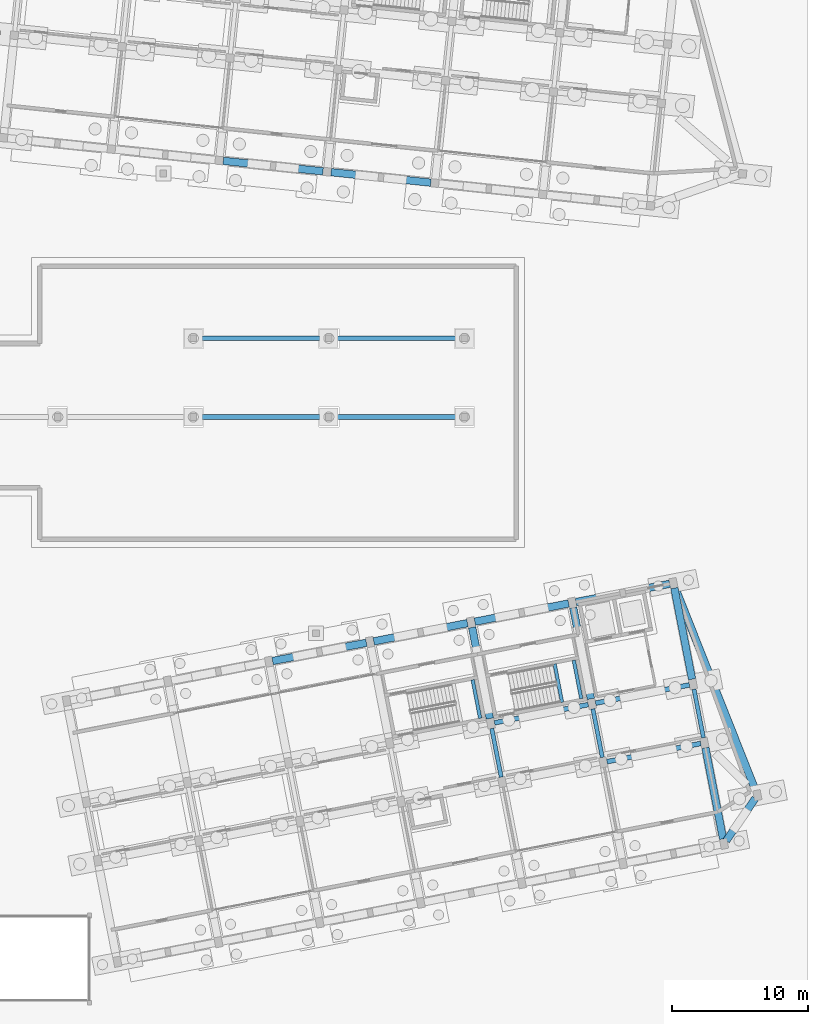
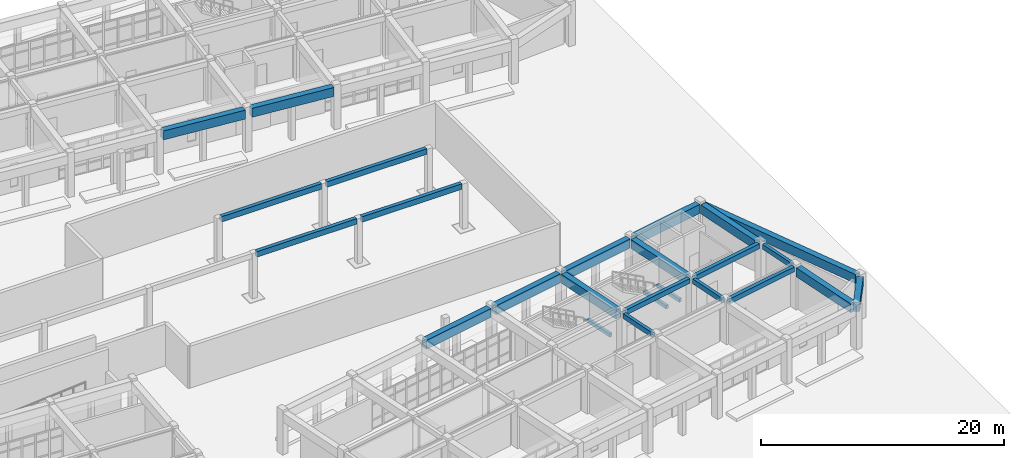
# One storey, part 95 of 154: 25 beams.
"""IFC4 building model written with IfcOpenShell, lengths in metres."""

from ifc_helpers import new_model, si_unit, direction, frame, origin, origin_2d, place, context, subcontext, project, spatial, rectangle, extrude, material, material_profile, profile_set, type_object, element, save


model = new_model("IFC4")

# Units and contexts
model_context = context("Model", 3, precision=1e-05, world=origin(), true_north=direction((0.0, 1.0)))
body_context = subcontext(model_context, "Body", "Model", "MODEL_VIEW")
ifc_project = project(units=[si_unit("LENGTHUNIT", "METRE"), si_unit("AREAUNIT", "SQUARE_METRE"), si_unit("VOLUMEUNIT", "CUBIC_METRE"), si_unit("PLANEANGLEUNIT", "RADIAN"), si_unit("MASSUNIT", "GRAM", prefix="KILO")], contexts=[model_context])

# Site, building, storey
site_placement = place(None, origin())
site = spatial("IfcSite", under=ifc_project, at=site_placement, CompositionType="ELEMENT")
building_placement = place(site_placement, origin())
building = spatial("IfcBuilding", under=site, at=building_placement, Name="Kestramere Prow Commons", CompositionType="ELEMENT")
storey_placement = place(building_placement, origin())
storey = spatial("IfcBuildingStorey", under=building, at=storey_placement, Name="L00", CompositionType="ELEMENT", Elevation=0.0)

# Beams
ifc_material_1 = material(Name="Precast concrete C40/50", Category="concrete")
ifc_material_profile_1 = material_profile(ifc_material_1, rectangle(XDim=0.35009765625, YDim=0.550048828125, at=origin_2d()), Name="PC-BM 350x550")
ifc_profile_set_1 = profile_set([ifc_material_profile_1], Name="Precast concrete C40/50")
beam_type_1 = type_object("IfcBeamType", Name="BM-C1 PC-BM 350x550", PredefinedType="BEAM", material=ifc_profile_set_1)
for number, where, z_axis, x_axis, name in (
    (1, (124.25, 74.199951171875, 3.925048828125), (1.0, 0.0, 0.0), (0.0, 1.0, 0.0), "Courtyard Support Girder 74-7"),
    (2, (134.25, 74.199951171875, 3.925048828125), (1.0, 0.0, 0.0), (0.0, 1.0, 0.0), "Courtyard Support Girder 74-8"),
    (3, (124.25, 80.0, 3.925048828125), (1.0, 0.0, 0.0), (0.0, 1.0, 0.0), "Courtyard Support Girder 80-1"),
    (4, (134.25, 80.0, 3.925048828125), (1.0, 0.0, 0.0), (0.0, 1.0, 0.0), "Courtyard Support Girder 80-2"),
):
    element("IfcBeam", number, at=place(storey_placement, frame(where, z_axis=z_axis, x_axis=x_axis)), inside=storey, type_object=beam_type_1, Name=name, PredefinedType="BEAM", context=body_context, shape_type="SweptSolid", body=[
        extrude(rectangle(XDim=0.35009765625, YDim=0.550048828125, at=origin_2d()), origin(), (0.0, 0.0, 1.0), 9.5),
    ])
ifc_material_profile_2 = material_profile(ifc_material_1, rectangle(XDim=0.35009765625, YDim=0.5, at=origin_2d()), Name="PC-BM 350x500")
ifc_profile_set_2 = profile_set([ifc_material_profile_2], Name="Precast concrete C40/50")
beam_type_2 = type_object("IfcBeamType", Name="BM-D1 PC-BM 350x500", PredefinedType="BEAM", material=ifc_profile_set_2)
for number, where, z_axis, x_axis, name in (
    (5, (154.521728515625, 48.763671875, 4.0), (0.981626562328, 0.19081219073, 0.0), (-0.19081219073, 0.981626562328, 0.0), "Block D L00 Longitudinal Beam 2-6"),
    (6, (146.2216796875, 51.632568359375, 4.0), (0.981626562328, 0.19081219073, 0.0), (-0.19081219073, 0.981626562328, 0.0), "Block D L00 Longitudinal Beam 3-5"),
    (7, (153.68212890625, 53.082763671875, 4.0), (0.981626562328, 0.19081219073, 0.0), (-0.19081219073, 0.981626562328, 0.0), "Block D L00 Longitudinal Beam 3-6"),
):
    element("IfcBeam", number, at=place(storey_placement, frame(where, z_axis=z_axis, x_axis=x_axis)), inside=storey, type_object=beam_type_2, Name=name, PredefinedType="BEAM", context=body_context, shape_type="SweptSolid", body=[
        extrude(rectangle(XDim=0.35009765625, YDim=0.5, at=origin_2d()), origin(), (0.0, 0.0, 1.0), 7.050048828125),
    ])
ifc_material_2 = material(Name="Concrete C40/50", Category="concrete")
ifc_material_profile_3 = material_profile(ifc_material_2, rectangle(XDim=0.25, YDim=0.35009765625, at=origin_2d()), Name="PC-BM 250x350")
ifc_profile_set_3 = profile_set([ifc_material_profile_3], Name="Concrete C40/50")
beam_type_3 = type_object("IfcBeamType", Name="BM-ST-TRIM", PredefinedType="BEAM", material=ifc_profile_set_3)
beam_1_placement = place(storey_placement, frame((145.16357421875, 51.966796875, 1.875), z_axis=(-0.190833481473, 0.981622423516, 0.0), x_axis=(-0.981622423516, -0.190833481473, 0.0)))
element("IfcBeam", 8, at=beam_1_placement, inside=storey, type_object=beam_type_3, Name="ST-D1 L00 Landing Trimmer Beam 1B", PredefinedType="BEAM", context=body_context, shape_type="SweptSolid", body=[
    extrude(rectangle(XDim=0.25, YDim=0.35009765625, at=origin_2d()), origin(), (0.0, 0.0, 1.0), 2.89013671875),
])
for number, where, z_axis, x_axis, name in (
    (9, (151.210205078125, 53.14208984375, 1.875), (-0.190752078966, 0.981638245165, 0.0), (-0.981638245165, -0.190752078966, 0.0), "ST-D2 L00 Landing Trimmer Beam 1A"),
    (10, (152.623779296875, 53.4169921875, 1.875), (-0.190752078966, 0.981638245165, 0.0), (-0.981638245165, -0.190752078966, 0.0), "ST-D2 L00 Landing Trimmer Beam 1B"),
):
    element("IfcBeam", number, at=place(storey_placement, frame(where, z_axis=z_axis, x_axis=x_axis)), inside=storey, type_object=beam_type_3, Name=name, PredefinedType="BEAM", context=body_context, shape_type="SweptSolid", body=[
        extrude(rectangle(XDim=0.25, YDim=0.35009765625, at=origin_2d()), origin(), (0.0, 0.0, 1.0), 2.889892578125),
    ])
ifc_material_profile_4 = material_profile(ifc_material_1, rectangle(XDim=0.300048828125, YDim=0.5, at=origin_2d()), Name="PC-BM 300x500")
ifc_profile_set_4 = profile_set([ifc_material_profile_4], Name="Precast concrete C40/50")
beam_type_4 = type_object("IfcBeamType", Name="BM-TIE-01 PC-BM 300x500", PredefinedType="BEAM", material=ifc_profile_set_4)
beam_2_placement = place(storey_placement, frame((146.7197265625, 47.629150390625, 4.0), z_axis=(-0.19083922249, 0.981621307409, 0.0), x_axis=(-0.981621307409, -0.19083922249, 0.0)))
element("IfcBeam", 11, at=beam_2_placement, inside=storey, type_object=beam_type_4, Name="Block D L00 Transverse Beam 5-2", PredefinedType="BEAM", context=body_context, shape_type="SweptSolid", body=[
    extrude(rectangle(XDim=0.300048828125, YDim=0.5, at=origin_2d()), origin(), (0.0, 0.0, 1.0), 3.64990234375),
])
for number, where, z_axis, x_axis, name in (
    (12, (154.18017578125, 49.0791015625, 4.0), (-0.190826692535, 0.981623743303, 0.0), (-0.981623743303, -0.190826692535, 0.0), "Block D L00 Transverse Beam 6-2"),
    (13, (161.640380859375, 50.529296875, 4.0), (-0.190762240628, 0.981636270495, 0.0), (-0.981636270495, -0.190762240628, 0.0), "Block D L00 Transverse Beam 7-2"),
):
    element("IfcBeam", number, at=place(storey_placement, frame(where, z_axis=z_axis, x_axis=x_axis)), inside=storey, type_object=beam_type_4, Name=name, PredefinedType="BEAM", context=body_context, shape_type="SweptSolid", body=[
        extrude(rectangle(XDim=0.300048828125, YDim=0.5, at=origin_2d()), origin(), (0.0, 0.0, 1.0), 3.650146484375),
    ])
ifc_material_profile_5 = material_profile(ifc_material_1, rectangle(XDim=0.550048828125, YDim=0.89990234375, at=origin_2d()), Name="PC-TG 550x900")
ifc_profile_set_5 = profile_set([ifc_material_profile_5], Name="Precast concrete C40/50")
beam_type_5 = type_object("IfcBeamType", Name="TG-01 PC-TG 550x900 (EX)", PredefinedType="BEAM", material=ifc_profile_set_5)
for number, where, z_axis, x_axis, name in (
    (14, (126.210693359375, 93.09619140625, 3.800048828125), (0.994522794159, -0.104519911488, 0.0), (0.104519911488, 0.994522794159, 0.0), "Block B L00 Longitudinal Beam 1-3"),
    (15, (134.1669921875, 92.260009765625, 3.800048828125), (0.994519364161, -0.104552543293, 0.0), (0.104552543293, 0.994519364161, 0.0), "Block B L00 Longitudinal Beam 1-4"),
):
    element("IfcBeam", number, at=place(storey_placement, frame(where, z_axis=z_axis, x_axis=x_axis)), inside=storey, type_object=beam_type_5, Name=name, PredefinedType="BEAM", context=body_context, shape_type="SweptSolid", body=[
        extrude(rectangle(XDim=0.550048828125, YDim=0.89990234375, at=origin_2d()), origin(), (0.0, 0.0, 1.0), 7.39990234375),
    ])
beam_3_placement = place(storey_placement, frame((163.320556640625, 42.931640625, 3.800048828125), z_axis=(0.565935255914, 0.824449686829, 0.0), x_axis=(-0.824449686829, 0.565935255914, 0.0)))
element("IfcBeam", 16, at=beam_3_placement, inside=storey, type_object=beam_type_5, Name="Block D L00 Prow Facet Beam S", PredefinedType="BEAM", context=body_context, shape_type="SweptSolid", body=[
    extrude(rectangle(XDim=0.550048828125, YDim=0.89990234375, at=origin_2d()), origin(), (0.0, 0.0, 1.0), 3.788818359375),
])
beam_4_placement = place(storey_placement, frame((159.525390625, 61.680419921875, 3.800048828125), z_axis=(0.368282919079, -0.929713768595, 0.0), x_axis=(0.929713768595, 0.368282919079, 0.0)))
element("IfcBeam", 17, at=beam_4_placement, inside=storey, type_object=beam_type_5, Name="Block D L00 Prow Facet Beam N", PredefinedType="BEAM", context=body_context, shape_type="SweptSolid", body=[
    extrude(rectangle(XDim=0.550048828125, YDim=0.89990234375, at=origin_2d()), origin(), (0.0, 0.0, 1.0), 16.27783203125),
])
for number, where, z_axis, x_axis, name in (
    (18, (129.850830078125, 56.192626953125, 3.800048828125), (0.981626562328, 0.19081219073, 0.0), (-0.19081219073, 0.981626562328, 0.0), "Block D L00 Longitudinal Beam 4-3"),
    (19, (137.311279296875, 57.642822265625, 3.800048828125), (0.981626562328, 0.19081219073, 0.0), (-0.19081219073, 0.981626562328, 0.0), "Block D L00 Longitudinal Beam 4-4"),
):
    element("IfcBeam", number, at=place(storey_placement, frame(where, z_axis=z_axis, x_axis=x_axis)), inside=storey, type_object=beam_type_5, Name=name, PredefinedType="BEAM", context=body_context, shape_type="SweptSolid", body=[
        extrude(rectangle(XDim=0.550048828125, YDim=0.89990234375, at=origin_2d()), origin(), (0.0, 0.0, 1.0), 7.050048828125),
    ])
beam_5_placement = place(storey_placement, frame((144.771484375, 59.093017578125, 3.800048828125), z_axis=(0.981627823124, 0.190805704498, 0.0), x_axis=(-0.190805704498, 0.981627823124, 0.0)))
element("IfcBeam", 20, at=beam_5_placement, inside=storey, type_object=beam_type_5, Name="Block D L00 Longitudinal Beam 4-5", PredefinedType="BEAM", context=body_context, shape_type="SweptSolid", body=[
    extrude(rectangle(XDim=0.550048828125, YDim=0.89990234375, at=origin_2d()), origin(), (0.0, 0.0, 1.0), 7.05029296875),
])
beam_6_placement = place(storey_placement, frame((152.23193359375, 60.543212890625, 3.800048828125), z_axis=(0.981626562328, 0.19081219073, 0.0), x_axis=(-0.19081219073, 0.981626562328, 0.0)))
element("IfcBeam", 21, at=beam_6_placement, inside=storey, type_object=beam_type_5, Name="Block D L00 Longitudinal Beam 4-6", PredefinedType="BEAM", context=body_context, shape_type="SweptSolid", body=[
    extrude(rectangle(XDim=0.550048828125, YDim=0.89990234375, at=origin_2d()), origin(), (0.0, 0.0, 1.0), 7.050048828125),
])
beam_7_placement = place(storey_placement, frame((145.880126953125, 51.9482421875, 3.800048828125), z_axis=(-0.19078761731, 0.981631338681, 0.0), x_axis=(-0.981631338681, -0.19078761731, 0.0)))
element("IfcBeam", 22, at=beam_7_placement, inside=storey, type_object=beam_type_5, Name="Block D L00 N Colonnade Transfer Girder 5", PredefinedType="BEAM", context=body_context, shape_type="SweptSolid", body=[
    extrude(rectangle(XDim=0.550048828125, YDim=0.89990234375, at=origin_2d()), origin(), (0.0, 0.0, 1.0), 6.849853515625),
])
beam_8_placement = place(storey_placement, frame((153.340576171875, 53.3984375, 3.800048828125), z_axis=(-0.190821960873, 0.981624663122, 0.0), x_axis=(-0.981624663122, -0.190821960873, 0.0)))
element("IfcBeam", 23, at=beam_8_placement, inside=storey, type_object=beam_type_5, Name="Block D L00 N Colonnade Transfer Girder 6", PredefinedType="BEAM", context=body_context, shape_type="SweptSolid", body=[
    extrude(rectangle(XDim=0.550048828125, YDim=0.89990234375, at=origin_2d()), origin(), (0.0, 0.0, 1.0), 6.85009765625),
])
beam_9_placement = place(storey_placement, frame((163.090576171875, 43.069091796875, 3.800048828125), z_axis=(-0.19078761731, 0.981631338681, 0.0), x_axis=(-0.981631338681, -0.19078761731, 0.0)))
element("IfcBeam", 24, at=beam_9_placement, inside=storey, type_object=beam_type_5, Name="Block D L00 S Colonnade Transfer Girder 7", PredefinedType="BEAM", context=body_context, shape_type="SweptSolid", body=[
    extrude(rectangle(XDim=0.550048828125, YDim=0.89990234375, at=origin_2d()), origin(), (0.0, 0.0, 1.0), 6.849853515625),
])
beam_10_placement = place(storey_placement, frame((160.801025390625, 54.8486328125, 3.800048828125), z_axis=(-0.190821960873, 0.981624663122, 0.0), x_axis=(-0.981624663122, -0.190821960873, 0.0)))
element("IfcBeam", 25, at=beam_10_placement, inside=storey, type_object=beam_type_5, Name="Block D L00 N Colonnade Transfer Girder 7", PredefinedType="BEAM", context=body_context, shape_type="SweptSolid", body=[
    extrude(rectangle(XDim=0.550048828125, YDim=0.89990234375, at=origin_2d()), origin(), (0.0, 0.0, 1.0), 6.85009765625),
])

save(model, "model.ifc")
